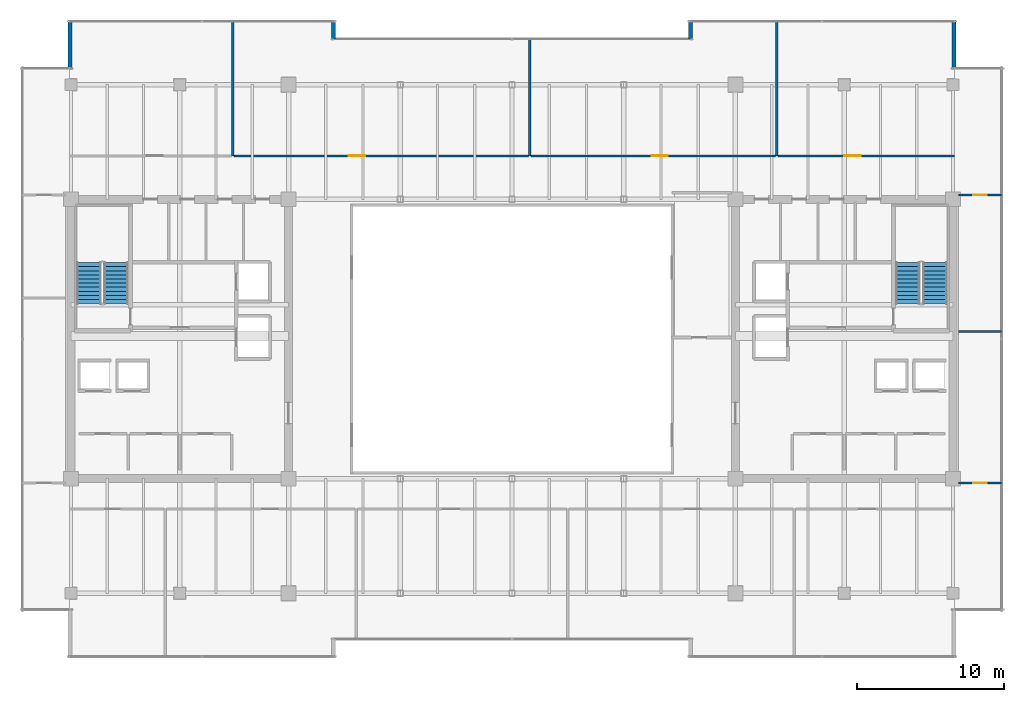
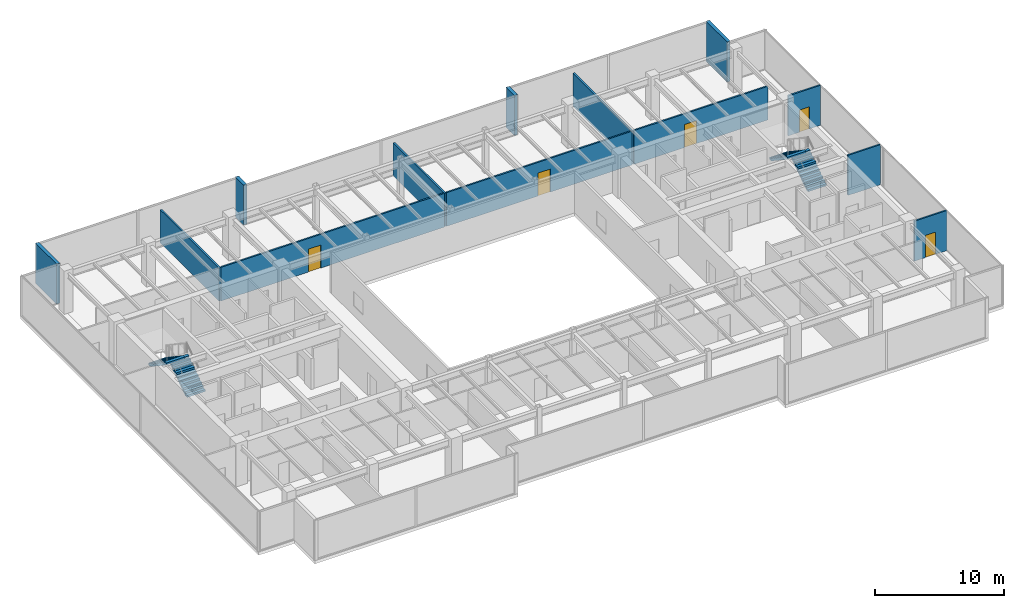
# One storey, part 31 of 35: 13 walls, 5 doors, 4 stair flights, 5 openings, 2 elements without a shape of their own.
"""IFC4 building model written with IfcOpenShell, lengths in metres."""

from ifc_helpers import new_model, si_unit, direction, frame, frame_2d, origin, place, context, subcontext, project, spatial, polyline, rectangle, outline, extrude, source, transform, mapped, material, layer, layer_set, type_object, type_shapes, element, fill, aggregate, save


model = new_model("IFC4")

# Units and contexts
model_context = context("Model", 3, precision=1e-05, world=origin(), true_north=direction((0.0, 1.0)))
body_context = subcontext(model_context, "Body", "Model", "MODEL_VIEW")
ifc_project = project(units=[si_unit("LENGTHUNIT", "METRE"), si_unit("AREAUNIT", "SQUARE_METRE"), si_unit("VOLUMEUNIT", "CUBIC_METRE"), si_unit("PLANEANGLEUNIT", "RADIAN"), si_unit("MASSUNIT", "GRAM", prefix="KILO")], contexts=[model_context])

# Site, building, storey
site_placement = place(None, origin())
site = spatial("IfcSite", under=ifc_project, at=site_placement, CompositionType="ELEMENT")
building_placement = place(site_placement, origin())
building = spatial("IfcBuilding", under=site, at=building_placement, Name="Haelvirn Gate Laboratories", CompositionType="ELEMENT")
storey_placement = place(building_placement, frame((0.0, 0.0, 226.0)))
storey = spatial("IfcBuildingStorey", under=building, at=storey_placement, Name="L54", CompositionType="ELEMENT", Elevation=226.0)

# Walls
ifc_material_1 = material(Name="Thermally-broken bronze aluminium rainscreen & mineral wool", Category="aluminium")
ifc_layer_1 = layer(ifc_material_1, 0.280029296875, Name="EW-TERR-280")
ifc_layer_set_1 = layer_set([ifc_layer_1], Name="Thermally-broken bronze aluminium rainscreen & mineral wool")
wall_type_1 = type_object("IfcWallType", Name="EW-TERR-280", PredefinedType="STANDARD", material=ifc_layer_set_1)
wall_1_placement = place(storey_placement, frame((67.4599609375, 42.7119140625, 0.0), z_axis=(0.0, 0.0, 1.0), x_axis=(0.0, 1.0, 0.0)))
element("IfcWall", 1, at=wall_1_placement, inside=storey, type_object=wall_type_1, Name="L54 Atrium Recess Bronze Return Wall 09", PredefinedType="STANDARD", context=body_context, shape_type="SweptSolid", body=[
    extrude(rectangle(XDim=3.2880859375, YDim=0.280029296875, at=frame_2d((1.64404296875, 0.0))), origin(), (0.0, 0.0, 1.0), 3.800048828125),
])
for number, where, z_axis, x_axis, name in (
    (2, (49.5400390625, 46.0, 0.0), (0.0, 0.0, 1.0), (0.0, -1.0, 0.0), "L54 Atrium Recess Bronze Return Wall 11"),
    (3, (25.260009765625, 44.70703125, 0.0), (0.0, 0.0, 1.0), (0.0, 1.0, 0.0), "L54 Atrium Recess Bronze Return Wall 13"),
):
    element("IfcWall", number, at=place(storey_placement, frame(where, z_axis=z_axis, x_axis=x_axis)), inside=storey, type_object=wall_type_1, Name=name, PredefinedType="STANDARD", context=body_context, shape_type="SweptSolid", body=[
        extrude(rectangle(XDim=1.29296875, YDim=0.280029296875, at=frame_2d((0.646484375, 0.0))), origin(), (0.0, 0.0, 1.0), 3.800048828125),
    ])
wall_2_placement = place(storey_placement, frame((7.340087890625, 46.0, 0.0), z_axis=(0.0, 0.0, 1.0), x_axis=(0.0, -1.0, 0.0)))
element("IfcWall", 4, at=wall_2_placement, inside=storey, type_object=wall_type_1, Name="L54 Atrium Recess Bronze Return Wall 15", PredefinedType="STANDARD", context=body_context, shape_type="SweptSolid", body=[
    extrude(rectangle(XDim=3.2880859375, YDim=0.280029296875, at=frame_2d((1.64404296875, 0.0))), origin(), (0.0, 0.0, 1.0), 3.800048828125),
])
ifc_material_2 = material(Name="Double-layer acoustic gypsum laboratory partition", Category="gypsum")
ifc_layer_2 = layer(ifc_material_2, 0.159912109375, Name="IW-ACOUST-160")
ifc_layer_set_2 = layer_set([ifc_layer_2], Name="Double-layer acoustic gypsum laboratory partition")
wall_type_2 = type_object("IfcWallType", Name="IW-ACOUST-160", PredefinedType="PARTITIONING", material=ifc_layer_set_2)
wall_3_placement = place(storey_placement, frame((18.39990234375, 36.760009765625, 0.0), z_axis=(0.0, 0.0, 1.0), x_axis=(0.0, 1.0, 0.0)))
element("IfcWall", 5, at=wall_3_placement, inside=storey, type_object=wall_type_2, Name="L54 Interior Wall IW-L54-NDIV-01", PredefinedType="PARTITIONING", context=body_context, shape_type="SweptSolid", body=[
    extrude(rectangle(XDim=9.1298828125, YDim=0.159912109375, at=frame_2d((4.56494140625, 0.0))), origin(), (0.0, 0.0, 1.0), 3.135009765625),
])
wall_4_placement = place(storey_placement, frame((38.60009765625, 36.760009765625, 0.0), z_axis=(0.0, 0.0, 1.0), x_axis=(0.0, 1.0, 0.0)))
element("IfcWall", 6, at=wall_4_placement, inside=storey, type_object=wall_type_2, Name="L54 Interior Wall IW-L54-NDIV-02", PredefinedType="PARTITIONING", context=body_context, shape_type="SweptSolid", body=[
    extrude(rectangle(XDim=7.929931640625, YDim=0.159912109375, at=frame_2d((3.96484375, 0.0))), origin(), (0.0, 0.0, 1.0), 3.135009765625),
])
wall_5_placement = place(storey_placement, frame((55.39990234375, 36.760009765625, 0.0), z_axis=(0.0, 0.0, 1.0), x_axis=(0.0, 1.0, 0.0)))
element("IfcWall", 7, at=wall_5_placement, inside=storey, type_object=wall_type_2, Name="L54 Interior Wall IW-L54-NDIV-03", PredefinedType="PARTITIONING", context=body_context, shape_type="SweptSolid", body=[
    extrude(rectangle(XDim=9.1298828125, YDim=0.159912109375, at=frame_2d((4.56494140625, 0.0))), origin(), (0.0, 0.0, 1.0), 3.135009765625),
])

# Wall, opening, door
ifc_material_3 = material(Name="Acoustic mineral-wool gypsum board partition", Category="gypsum")
ifc_layer_3 = layer(ifc_material_3, 0.139892578125, Name="IW-PART-140")
ifc_layer_set_3 = layer_set([ifc_layer_3], Name="Acoustic mineral-wool gypsum board partition")
wall_type_3 = type_object("IfcWallType", Name="IW-PART-140", PredefinedType="PARTITIONING", material=ifc_layer_set_3)
wall_6_placement = place(storey_placement, frame((18.47998046875, 36.760009765625, 0.0), z_axis=(0.0, 0.0, 1.0), x_axis=(1.0, 0.0, 0.0)))
wall_6 = element("IfcWall", 8, at=wall_6_placement, inside=storey, type_object=wall_type_3, Name="L54 Interior Wall IW-L54-NCORR-02", PredefinedType="PARTITIONING", context=body_context, shape_type="SweptSolid", body=[
    extrude(rectangle(XDim=20.0400390625, YDim=0.139892578125, at=frame_2d((10.02001953125, 0.0))), origin(), (0.0, 0.0, 1.0), 3.197021484375),
])
opening_1_placement = place(wall_6_placement, frame((7.828369140625, 0.0, 0.0)))
opening_1 = element("IfcOpeningElement", 9, at=opening_1_placement, cuts=wall_6, Name="Opening D1", PredefinedType="OPENING", context=body_context, shape_type="SweptSolid", body=[
    extrude(rectangle(XDim=1.10009765625, YDim=2.179931640625, at=frame_2d((0.550048828125, 1.08984375))), frame((0.0, 0.080078125, 0.0), z_axis=(0.0, -1.0, 0.0), x_axis=(1.0, 0.0, 0.0)), (0.0, 0.0, 1.0), 0.159912109375),
])
ifc_material_4 = material(Name="Vision-panel acoustic solid-core timber lab door", Category="wood")
door_type_1 = type_object("IfcDoorType", Name="DR-LAB-1100", OperationType="NOTDEFINED", PredefinedType="DOOR", material=ifc_material_4)
shared_shape_1 = source(origin(), body_context, "Body", "SweptSolid", [
    extrude(rectangle(XDim=1.10009765625, YDim=2.179931640625, at=frame_2d((0.550048828125, 1.08984375))), frame((0.0, 0.02490234375, 0.0), z_axis=(0.0, -1.0, 0.0), x_axis=(1.0, 0.0, 0.0)), (0.0, 0.0, 1.0), 0.050048828125),
])
type_shapes(door_type_1, [shared_shape_1])
door_1_placement = place(opening_1_placement, origin())
door_1 = element("IfcDoor", 10, at=door_1_placement, inside=storey, type_object=door_type_1, Name="L54 Cryo-EM Imaging Suite Door N2", OperationType="SINGLE_SWING_LEFT", OverallHeight=2.179931640625, OverallWidth=1.10009765625, PredefinedType="DOOR", context=body_context, shape_type="MappedRepresentation", body=[
    mapped(shared_shape_1, transform((0.0, 0.0, 0.0), scale=1.0)),
])
fill(opening_1, door_1)

wall_7_placement = place(storey_placement, frame((38.679931640625, 36.760009765625, 0.0), z_axis=(0.0, 0.0, 1.0), x_axis=(1.0, 0.0, 0.0)))
wall_7 = element("IfcWall", 11, at=wall_7_placement, inside=storey, type_object=wall_type_3, Name="L54 Interior Wall IW-L54-NCORR-03", PredefinedType="PARTITIONING", context=body_context, shape_type="SweptSolid", body=[
    extrude(rectangle(XDim=16.64013671875, YDim=0.139892578125, at=frame_2d((8.320068359375, 0.0))), origin(), (0.0, 0.0, 1.0), 3.197021484375),
])
opening_2_placement = place(wall_7_placement, frame((8.215087890625, 0.0, 0.0)))
opening_2 = element("IfcOpeningElement", 12, at=opening_2_placement, cuts=wall_7, Name="Opening D1", PredefinedType="OPENING", context=body_context, shape_type="SweptSolid", body=[
    extrude(rectangle(XDim=1.10009765625, YDim=2.179931640625, at=frame_2d((0.550048828125, 1.08984375))), frame((0.0, 0.080078125, 0.0), z_axis=(0.0, -1.0, 0.0), x_axis=(1.0, 0.0, 0.0)), (0.0, 0.0, 1.0), 0.159912109375),
])
door_2_placement = place(opening_2_placement, origin())
door_2 = element("IfcDoor", 13, at=door_2_placement, inside=storey, type_object=door_type_1, Name="L54 Analytical Instrument Suite Door N3", OperationType="SINGLE_SWING_RIGHT", OverallHeight=2.179931640625, OverallWidth=1.10009765625, PredefinedType="DOOR", context=body_context, shape_type="MappedRepresentation", body=[
    mapped(shared_shape_1, transform((0.0, 0.0, 0.0), scale=1.0)),
])
fill(opening_2, door_2)

wall_8_placement = place(storey_placement, frame((55.47998046875, 36.760009765625, 0.0), z_axis=(0.0, 0.0, 1.0), x_axis=(1.0, 0.0, 0.0)))
wall_8 = element("IfcWall", 14, at=wall_8_placement, inside=storey, type_object=wall_type_3, Name="L54 Interior Wall IW-L54-NCORR-04", PredefinedType="PARTITIONING", context=body_context, shape_type="SweptSolid", body=[
    extrude(rectangle(XDim=12.010009765625, YDim=0.139892578125, at=frame_2d((6.0048828125, 0.0))), origin(), (0.0, 0.0, 1.0), 3.197021484375),
])
opening_3_placement = place(wall_8_placement, frame((4.5361328125, 0.0, 0.0)))
opening_3 = element("IfcOpeningElement", 15, at=opening_3_placement, cuts=wall_8, Name="Opening D1", PredefinedType="OPENING", context=body_context, shape_type="SweptSolid", body=[
    extrude(rectangle(XDim=1.10009765625, YDim=2.179931640625, at=frame_2d((0.550048828125, 1.08984375))), frame((0.0, 0.080078125, 0.0), z_axis=(0.0, -1.0, 0.0), x_axis=(1.0, 0.0, 0.0)), (0.0, 0.0, 1.0), 0.159912109375),
])
door_3_placement = place(opening_3_placement, origin())
door_3 = element("IfcDoor", 16, at=door_3_placement, inside=storey, type_object=door_type_1, Name="L54 Cleanroom Metrology Suite Door N4", OperationType="SINGLE_SWING_LEFT", OverallHeight=2.179931640625, OverallWidth=1.10009765625, PredefinedType="DOOR", context=body_context, shape_type="MappedRepresentation", body=[
    mapped(shared_shape_1, transform((0.0, 0.0, 0.0), scale=1.0)),
])
fill(opening_3, door_3)

# Wall
wall_9_placement = place(storey_placement, frame((67.780029296875, 24.800048828125, 0.0), z_axis=(0.0, 0.0, 1.0), x_axis=(1.0, 0.0, 0.0)))
element("IfcWall", 17, at=wall_9_placement, inside=storey, type_object=wall_type_3, Name="L54 Interior Wall IW-L54-EZ3-MID", PredefinedType="PARTITIONING", context=body_context, shape_type="SweptSolid", body=[
    extrude(rectangle(XDim=2.909912109375, YDim=0.139892578125, at=frame_2d((1.455078125, 0.0))), origin(), (0.0, 0.0, 1.0), 3.800048828125),
])

# Wall, opening, door
wall_10_placement = place(storey_placement, frame((67.780029296875, 14.5048828125, 0.0), z_axis=(0.0, 0.0, 1.0), x_axis=(1.0, 0.0, 0.0)))
wall_10 = element("IfcWall", 18, at=wall_10_placement, inside=storey, type_object=wall_type_3, Name="L54 Interior Wall IW-L54-EZ3-ENT-S", PredefinedType="PARTITIONING", context=body_context, shape_type="SweptSolid", body=[
    extrude(rectangle(XDim=2.909912109375, YDim=0.139892578125, at=frame_2d((1.455078125, 0.0))), origin(), (0.0, 0.0, 1.0), 3.800048828125),
])
opening_4_placement = place(wall_10_placement, frame((1.0048828125, 0.0, 0.0)))
opening_4 = element("IfcOpeningElement", 19, at=opening_4_placement, cuts=wall_10, Name="Opening D4", PredefinedType="OPENING", context=body_context, shape_type="SweptSolid", body=[
    extrude(rectangle(XDim=0.89990234375, YDim=2.10009765625, at=frame_2d((0.449951171875, 1.050048828125))), frame((0.0, 0.080078125, 0.0), z_axis=(0.0, -1.0, 0.0), x_axis=(1.0, 0.0, 0.0)), (0.0, 0.0, 1.0), 0.159912109375),
])
ifc_material_5 = material(Name="Glazed aluminium-framed write-up door", Category="aluminium")
door_type_2 = type_object("IfcDoorType", Name="DR-OFF-900", OperationType="NOTDEFINED", PredefinedType="DOOR", material=ifc_material_5)
shared_shape_2 = source(origin(), body_context, "Body", "SweptSolid", [
    extrude(rectangle(XDim=0.89990234375, YDim=2.10009765625, at=frame_2d((0.449951171875, 1.050048828125))), frame((0.0, 0.02490234375, 0.0), z_axis=(0.0, -1.0, 0.0), x_axis=(1.0, 0.0, 0.0)), (0.0, 0.0, 1.0), 0.050048828125),
])
type_shapes(door_type_2, [shared_shape_2])
door_4_placement = place(opening_4_placement, origin())
door_4 = element("IfcDoor", 20, at=door_4_placement, inside=storey, type_object=door_type_2, Name="L54 Floor Hydration & Tea Servery Door E-S", OperationType="SINGLE_SWING_LEFT", OverallHeight=2.10009765625, OverallWidth=0.89990234375, PredefinedType="DOOR", context=body_context, shape_type="MappedRepresentation", body=[
    mapped(shared_shape_2, transform((0.0, 0.0, 0.0), scale=1.0)),
])
fill(opening_4, door_4)

wall_11_placement = place(storey_placement, frame((67.780029296875, 34.094970703125, 0.0), z_axis=(0.0, 0.0, 1.0), x_axis=(1.0, 0.0, 0.0)))
wall_11 = element("IfcWall", 21, at=wall_11_placement, inside=storey, type_object=wall_type_3, Name="L54 Interior Wall IW-L54-EZ3-ENT-N", PredefinedType="PARTITIONING", context=body_context, shape_type="SweptSolid", body=[
    extrude(rectangle(XDim=2.909912109375, YDim=0.139892578125, at=frame_2d((1.455078125, 0.0))), origin(), (0.0, 0.0, 1.0), 3.800048828125),
])
opening_5_placement = place(wall_11_placement, frame((1.0048828125, 0.0, 0.0)))
opening_5 = element("IfcOpeningElement", 22, at=opening_5_placement, cuts=wall_11, Name="Opening D4", PredefinedType="OPENING", context=body_context, shape_type="SweptSolid", body=[
    extrude(rectangle(XDim=0.89990234375, YDim=2.10009765625, at=frame_2d((0.449951171875, 1.050048828125))), frame((0.0, 0.080078125, 0.0), z_axis=(0.0, -1.0, 0.0), x_axis=(1.0, 0.0, 0.0)), (0.0, 0.0, 1.0), 0.159912109375),
])
door_5_placement = place(opening_5_placement, origin())
door_5 = element("IfcDoor", 23, at=door_5_placement, inside=storey, type_object=door_type_2, Name="L54 Postdoctoral Reading Lounge Door E-N", OperationType="SINGLE_SWING_RIGHT", OverallHeight=2.10009765625, OverallWidth=0.89990234375, PredefinedType="DOOR", context=body_context, shape_type="MappedRepresentation", body=[
    mapped(shared_shape_2, transform((0.0, 0.0, 0.0), scale=1.0)),
])
fill(opening_5, door_5)

# Stair, stair flights
ifc_material_6 = material(Name="Concrete C40/50", Category="concrete")
stair_type = type_object("IfcStairType", Name="ST-DOG-1650-R22", PredefinedType="HALF_TURN_STAIR", material=ifc_material_6)
stair_1_placement = place(storey_placement, origin())
stair_1 = element("IfcStair", 24, at=stair_1_placement, inside=storey, type_object=stair_type, Name="L54 Escape Stair ST1", PredefinedType="HALF_TURN_STAIR")
stair_flight_type = type_object("IfcStairFlightType", Name="STF-1650-R11", PredefinedType="STRAIGHT", material=ifc_material_6)
shared_shape_3 = source(origin(), body_context, "Body", "SweptSolid", [
    extrude(outline(polyline([(0.0, 0.0), (0.0, 0.186279296875), (0.280029296875, 0.186279296875), (0.280029296875, 0.372802734375), (0.56005859375, 0.372802734375), (0.56005859375, 0.55908203125), (0.840087890625, 0.55908203125), (0.840087890625, 0.745361328125), (1.1201171875, 0.745361328125), (1.1201171875, 0.931884765625), (1.39990234375, 0.931884765625), (1.39990234375, 1.1181640625), (1.679931640625, 1.1181640625), (1.679931640625, 1.304443359375), (1.9599609375, 1.304443359375), (1.9599609375, 1.490966796875), (2.239990234375, 1.490966796875), (2.239990234375, 1.67724609375), (2.52001953125, 1.67724609375), (2.52001953125, 1.863525390625), (2.800048828125, 1.863525390625), (2.800048828125, 2.050048828125), (2.800048828125, 1.671630859375), (0.28857421875, 0.0), (0.0, 0.0)])), frame((0.0, 0.824951171875, 0.0), z_axis=(0.0, -1.0, 0.0), x_axis=(1.0, 0.0, 0.0)), (0.0, 0.0, 1.0), 1.64990234375),
])
type_shapes(stair_flight_type, [shared_shape_3])
stair_flight_1_placement = place(storey_placement, frame((10.47509765625, 26.699951171875, 0.0), z_axis=(0.0, 0.0, 1.0), x_axis=(0.0, 1.0, 0.0)))
stair_flight_1 = element("IfcStairFlight", 25, at=stair_flight_1_placement, type_object=stair_flight_type, Name="ST1 flight 1", NumberOfRisers=11, NumberOfTreads=10, PredefinedType="STRAIGHT", RiserHeight=0.186363636, TreadLength=0.28, context=body_context, shape_type="MappedRepresentation", body=[
    mapped(shared_shape_3, transform((0.0, 0.0, 0.0), scale=1.0)),
])
stair_flight_2_placement = place(storey_placement, frame((8.625, 29.5, 2.050048828125), z_axis=(0.0, 0.0, 1.0), x_axis=(0.0, -1.0, 0.0)))
stair_flight_2 = element("IfcStairFlight", 26, at=stair_flight_2_placement, type_object=stair_flight_type, Name="ST1 flight 2", NumberOfRisers=11, NumberOfTreads=10, PredefinedType="STRAIGHT", RiserHeight=0.186363636, TreadLength=0.28, context=body_context, shape_type="MappedRepresentation", body=[
    mapped(shared_shape_3, transform((0.0, 0.0, 0.0), scale=1.0)),
])
aggregate(stair_1, [stair_flight_1, stair_flight_2])

stair_2_placement = place(storey_placement, origin())
stair_2 = element("IfcStair", 27, at=stair_2_placement, inside=storey, type_object=stair_type, Name="L54 Escape Stair ST2", PredefinedType="HALF_TURN_STAIR")
stair_flight_3_placement = place(storey_placement, frame((66.175048828125, 26.699951171875, 0.0), z_axis=(0.0, 0.0, 1.0), x_axis=(0.0, 1.0, 0.0)))
stair_flight_3 = element("IfcStairFlight", 28, at=stair_flight_3_placement, type_object=stair_flight_type, Name="ST2 flight 1", NumberOfRisers=11, NumberOfTreads=10, PredefinedType="STRAIGHT", RiserHeight=0.186363636, TreadLength=0.28, context=body_context, shape_type="MappedRepresentation", body=[
    mapped(shared_shape_3, transform((0.0, 0.0, 0.0), scale=1.0)),
])
stair_flight_4_placement = place(storey_placement, frame((64.324951171875, 29.5, 2.050048828125), z_axis=(0.0, 0.0, 1.0), x_axis=(0.0, -1.0, 0.0)))
stair_flight_4 = element("IfcStairFlight", 29, at=stair_flight_4_placement, type_object=stair_flight_type, Name="ST2 flight 2", NumberOfRisers=11, NumberOfTreads=10, PredefinedType="STRAIGHT", RiserHeight=0.186363636, TreadLength=0.28, context=body_context, shape_type="MappedRepresentation", body=[
    mapped(shared_shape_3, transform((0.0, 0.0, 0.0), scale=1.0)),
])
aggregate(stair_2, [stair_flight_3, stair_flight_4])

save(model, "model.ifc")
